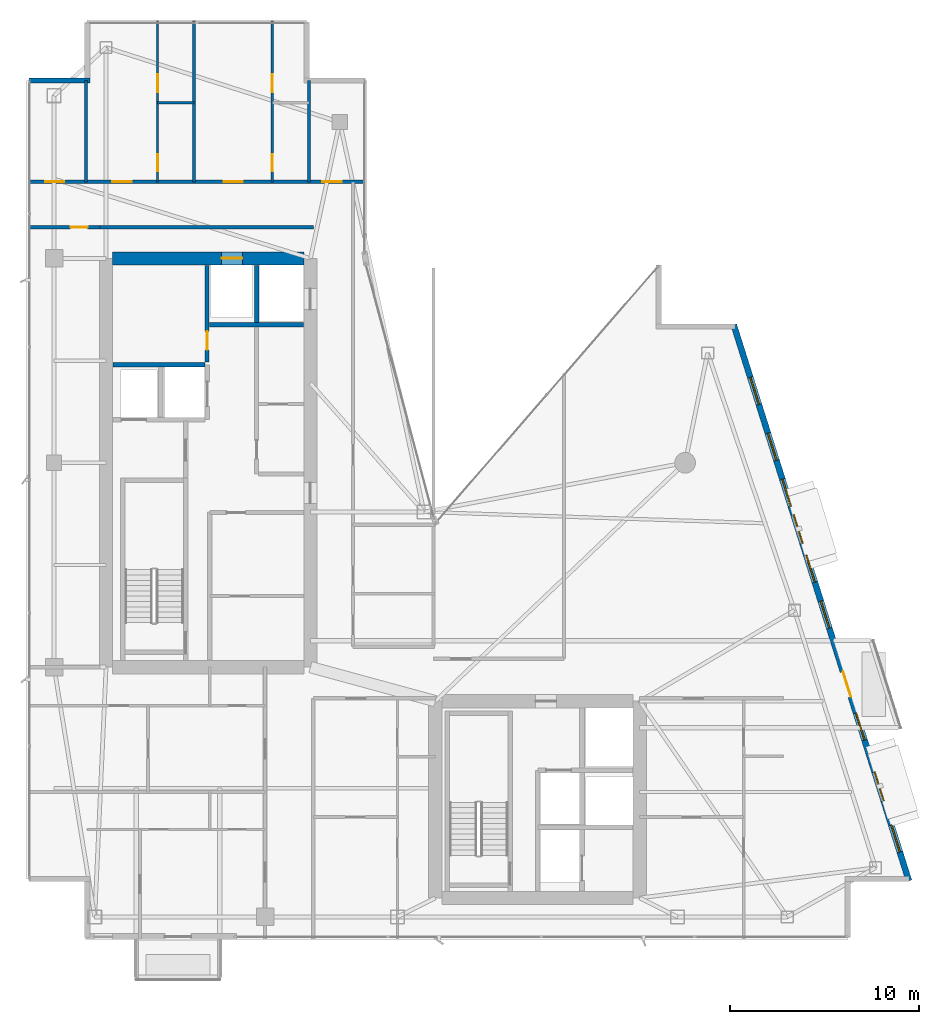
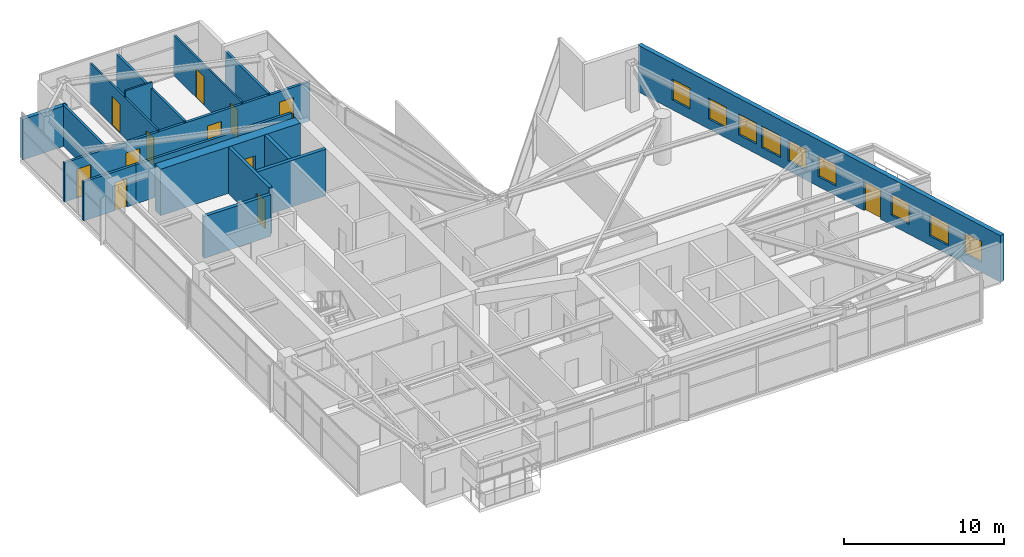
# One storey, part 26 of 29: 16 walls, 12 doors, 9 windows, 21 openings.
"""IFC4 building model written with IfcOpenShell, lengths in metres."""

from ifc_helpers import new_model, si_unit, direction, frame, frame_2d, origin, place, context, subcontext, project, spatial, rectangle, extrude, material, layer, layer_set, type_object, element, fill, save


model = new_model("IFC4")

# Units and contexts
model_context = context("Model", 3, precision=1e-05, world=origin(), true_north=direction((0.0, 1.0)))
body_context = subcontext(model_context, "Body", "Model", "MODEL_VIEW")
ifc_project = project(units=[si_unit("LENGTHUNIT", "METRE"), si_unit("AREAUNIT", "SQUARE_METRE"), si_unit("VOLUMEUNIT", "CUBIC_METRE"), si_unit("PLANEANGLEUNIT", "RADIAN"), si_unit("MASSUNIT", "GRAM", prefix="KILO")], contexts=[model_context])

# Site, building, storey
site_placement = place(None, origin())
site = spatial("IfcSite", under=ifc_project, at=site_placement, CompositionType="ELEMENT")
building_placement = place(site_placement, origin())
building = spatial("IfcBuilding", under=site, at=building_placement, Name="Calvorn Quay Hotel", CompositionType="ELEMENT")
storey_placement = place(building_placement, frame((0.0, 0.0, 247.60009765625)))
storey = spatial("IfcBuildingStorey", under=building, at=storey_placement, Name="L61", CompositionType="ELEMENT", Elevation=247.60009765625)

# Wall, opening, door
ifc_material_1 = material(Name="Concrete C45", Category="concrete")
ifc_layer_1 = layer(ifc_material_1, 0.699951171875)
ifc_layer_set_1 = layer_set([ifc_layer_1], Name="WL-CORE-700")
wall_type_1 = type_object("IfcWallType", Name="WL-CORE-700", PredefinedType="SHEAR", material=ifc_layer_set_1)
wall_1_placement = place(storey_placement, frame((4.550048828125, 38.39990234375, 0.0), z_axis=(0.0, 0.0, 1.0), x_axis=(1.0, 0.0, 0.0)))
wall_1 = element("IfcWall", 1, at=wall_1_placement, inside=storey, type_object=wall_type_1, Name="West Core Shear Wall N (L61)", PredefinedType="SHEAR", context=body_context, shape_type="SweptSolid", body=[
    extrude(rectangle(XDim=10.099853515625, YDim=0.699951171875, at=frame_2d((5.0498046875, 0.0))), origin(), (0.0, 0.0, 1.0), 3.559814453125),
])
opening_1_placement = place(wall_1_placement, frame((5.75, 0.0, 0.0)))
opening_1 = element("IfcOpeningElement", 2, at=opening_1_placement, cuts=wall_1, Name="Opening LD-L61-H2", PredefinedType="OPENING", context=body_context, shape_type="SweptSolid", body=[
    extrude(rectangle(XDim=1.10009765625, YDim=2.199951171875, at=frame_2d((0.550048828125, 1.10009765625))), frame((0.0, 0.35986328125, 0.0), z_axis=(0.0, -1.0, 0.0), x_axis=(1.0, 0.0, 0.0)), (0.0, 0.0, 1.0), 0.719970703125),
])
ifc_material_2 = material(Name="Brushed Stainless Steel Sliding Lift Landing Door", Category="steel")
door_type_1 = type_object("IfcDoorType", Name="DR-LIFT-PASS-1100", OperationType="NOTDEFINED", PredefinedType="DOOR", material=ifc_material_2)
door_1_placement = place(opening_1_placement, origin())
door_1 = element("IfcDoor", 3, at=door_1_placement, inside=storey, type_object=door_type_1, Name="High-Rise Lift PL-H2 Landing Door (L61)", OperationType="DOUBLE_DOOR_SLIDING", OverallHeight=2.199951171875, OverallWidth=1.10009765625, PredefinedType="DOOR", context=body_context, shape_type="SweptSolid", body=[
    extrude(rectangle(XDim=1.10009765625, YDim=2.199951171875, at=frame_2d((0.550048828125, 1.10009765625))), frame((0.0, 0.02490234375, 0.0), z_axis=(0.0, -1.0, 0.0), x_axis=(1.0, 0.0, 0.0)), (0.0, 0.0, 1.0), 0.050048828125),
])
fill(opening_1, door_1)

ifc_material_3 = material(Name="Acoustic Fireboard Steel-Stud Partition", Category="steel")
ifc_layer_2 = layer(ifc_material_3, 0.179931640625)
ifc_layer_set_2 = layer_set([ifc_layer_2], Name="WL-CORR-FIRE-180")
wall_type_2 = type_object("IfcWallType", Name="WL-CORR-FIRE-180", PredefinedType="PARTITIONING", material=ifc_layer_set_2)
wall_2_placement = place(storey_placement, frame((0.080078125, 40.050048828125, 0.0), z_axis=(0.0, 0.0, 1.0), x_axis=(1.0, 0.0, 0.0)))
wall_2 = element("IfcWall", 4, at=wall_2_placement, inside=storey, type_object=wall_type_2, Name="Partition Wall L61-WL-WBAY-N-DOOR", PredefinedType="PARTITIONING", context=body_context, shape_type="SweptSolid", body=[
    extrude(rectangle(XDim=3.7998046875, YDim=0.179931640625, at=frame_2d((1.89990234375, 0.0))), origin(), (0.0, 0.0, 1.0), 2.989990234375),
])
opening_2_placement = place(wall_2_placement, frame((2.25, 0.0, 0.0)))
opening_2 = element("IfcOpeningElement", 5, at=opening_2_placement, cuts=wall_2, Name="Opening D-L61-WBN", PredefinedType="OPENING", context=body_context, shape_type="SweptSolid", body=[
    extrude(rectangle(XDim=0.89990234375, YDim=2.14990234375, at=frame_2d((0.449951171875, 1.074951171875))), frame((0.0, 0.099853515625, 0.0), z_axis=(0.0, -1.0, 0.0), x_axis=(1.0, 0.0, 0.0)), (0.0, 0.0, 1.0), 0.199951171875),
])
ifc_material_4 = material(Name="Moisture-Sealed Timber En-Suite Door", Category="wood")
door_type_2 = type_object("IfcDoorType", Name="DR-ENSUITE-900", OperationType="NOTDEFINED", PredefinedType="DOOR", material=ifc_material_4)
door_2_placement = place(opening_2_placement, origin())
door_2 = element("IfcDoor", 6, at=door_2_placement, inside=storey, type_object=door_type_2, Name="West North Bay Door (L61)", OperationType="SINGLE_SWING_LEFT", OverallHeight=2.14990234375, OverallWidth=0.89990234375, PredefinedType="DOOR", context=body_context, shape_type="SweptSolid", body=[
    extrude(rectangle(XDim=0.89990234375, YDim=2.14990234375, at=frame_2d((0.449951171875, 1.074951171875))), frame((0.0, 0.02490234375, 0.0), z_axis=(0.0, -1.0, 0.0), x_axis=(1.0, 0.0, 0.0)), (0.0, 0.0, 1.0), 0.050048828125),
])
fill(opening_2, door_2)

# Wall, openings, doors
wall_3_placement = place(storey_placement, frame((0.080078125, 42.449951171875, 0.0), z_axis=(0.0, 0.0, 1.0), x_axis=(1.0, 0.0, 0.0)))
wall_3 = element("IfcWall", 7, at=wall_3_placement, inside=storey, type_object=wall_type_2, Name="Partition Wall L61-WL-CORR-NW-N", PredefinedType="PARTITIONING", context=body_context, shape_type="SweptSolid", body=[
    extrude(rectangle(XDim=17.77001953125, YDim=0.179931640625, at=frame_2d((8.885009765625, 0.0))), origin(), (0.0, 0.0, 1.0), 2.989990234375),
])
opening_3_placement = place(wall_3_placement, frame((0.89990234375, 0.0, 0.0)))
opening_3 = element("IfcOpeningElement", 8, at=opening_3_placement, cuts=wall_3, Name="Opening D-L61-NWW", PredefinedType="OPENING", context=body_context, shape_type="SweptSolid", body=[
    extrude(rectangle(XDim=1.02001953125, YDim=2.199951171875, at=frame_2d((0.510009765625, 1.10009765625))), frame((0.0, 0.099853515625, 0.0), z_axis=(0.0, -1.0, 0.0), x_axis=(1.0, 0.0, 0.0)), (0.0, 0.0, 1.0), 0.199951171875),
])
opening_4_placement = place(wall_3_placement, frame((4.449951171875, 0.0, 0.0)))
opening_4 = element("IfcOpeningElement", 9, at=opening_4_placement, cuts=wall_3, Name="Opening D-L61-U04", PredefinedType="OPENING", context=body_context, shape_type="SweptSolid", body=[
    extrude(rectangle(XDim=1.02001953125, YDim=2.199951171875, at=frame_2d((0.510009765625, 1.10009765625))), frame((0.0, 0.099853515625, 0.0), z_axis=(0.0, -1.0, 0.0), x_axis=(1.0, 0.0, 0.0)), (0.0, 0.0, 1.0), 0.199951171875),
])
opening_5_placement = place(wall_3_placement, frame((10.330078125, 0.0, 0.0)))
opening_5 = element("IfcOpeningElement", 10, at=opening_5_placement, cuts=wall_3, Name="Opening D-L61-U05", PredefinedType="OPENING", context=body_context, shape_type="SweptSolid", body=[
    extrude(rectangle(XDim=1.02001953125, YDim=2.199951171875, at=frame_2d((0.510009765625, 1.10009765625))), frame((0.0, 0.099853515625, 0.0), z_axis=(0.0, -1.0, 0.0), x_axis=(1.0, 0.0, 0.0)), (0.0, 0.0, 1.0), 0.199951171875),
])
opening_6_placement = place(wall_3_placement, frame((15.550048828125, 0.0, 0.0)))
opening_6 = element("IfcOpeningElement", 11, at=opening_6_placement, cuts=wall_3, Name="Opening D-L61-NWE", PredefinedType="OPENING", context=body_context, shape_type="SweptSolid", body=[
    extrude(rectangle(XDim=1.02001953125, YDim=2.199951171875, at=frame_2d((0.510009765625, 1.10009765625))), frame((0.0, 0.099853515625, 0.0), z_axis=(0.0, -1.0, 0.0), x_axis=(1.0, 0.0, 0.0)), (0.0, 0.0, 1.0), 0.199951171875),
])
ifc_material_5 = material(Name="Solid-Core Walnut Veneer Hotel Fire Door")
door_type_3 = type_object("IfcDoorType", Name="DR-GUEST-ENTRY-1020", OperationType="NOTDEFINED", PredefinedType="DOOR", material=ifc_material_5)
door_3_placement = place(opening_3_placement, origin())
door_3 = element("IfcDoor", 12, at=door_3_placement, inside=storey, type_object=door_type_3, Name="West Corner Study Door (L61)", OperationType="SINGLE_SWING_LEFT", OverallHeight=2.199951171875, OverallWidth=1.02001953125, PredefinedType="DOOR", context=body_context, shape_type="SweptSolid", body=[
    extrude(rectangle(XDim=1.02001953125, YDim=2.199951171875, at=frame_2d((0.510009765625, 1.10009765625))), frame((0.0, 0.02490234375, 0.0), z_axis=(0.0, -1.0, 0.0), x_axis=(1.0, 0.0, 0.0)), (0.0, 0.0, 1.0), 0.050048828125),
])
fill(opening_3, door_3)
door_4_placement = place(opening_4_placement, origin())
door_4 = element("IfcDoor", 13, at=door_4_placement, inside=storey, type_object=door_type_3, Name="North-West Unit Door U04 (L61)", OperationType="SINGLE_SWING_RIGHT", OverallHeight=2.199951171875, OverallWidth=1.02001953125, PredefinedType="DOOR", context=body_context, shape_type="SweptSolid", body=[
    extrude(rectangle(XDim=1.02001953125, YDim=2.199951171875, at=frame_2d((0.510009765625, 1.10009765625))), frame((0.0, 0.02490234375, 0.0), z_axis=(0.0, -1.0, 0.0), x_axis=(1.0, 0.0, 0.0)), (0.0, 0.0, 1.0), 0.050048828125),
])
fill(opening_4, door_4)
door_5_placement = place(opening_5_placement, origin())
door_5 = element("IfcDoor", 14, at=door_5_placement, inside=storey, type_object=door_type_3, Name="North-West Unit Door U05 (L61)", OperationType="SINGLE_SWING_LEFT", OverallHeight=2.199951171875, OverallWidth=1.02001953125, PredefinedType="DOOR", context=body_context, shape_type="SweptSolid", body=[
    extrude(rectangle(XDim=1.02001953125, YDim=2.199951171875, at=frame_2d((0.510009765625, 1.10009765625))), frame((0.0, 0.02490234375, 0.0), z_axis=(0.0, -1.0, 0.0), x_axis=(1.0, 0.0, 0.0)), (0.0, 0.0, 1.0), 0.050048828125),
])
fill(opening_5, door_5)
door_6_placement = place(opening_6_placement, origin())
door_6 = element("IfcDoor", 15, at=door_6_placement, inside=storey, type_object=door_type_3, Name="Inner Court Study Door (L61)", OperationType="SINGLE_SWING_RIGHT", OverallHeight=2.199951171875, OverallWidth=1.02001953125, PredefinedType="DOOR", context=body_context, shape_type="SweptSolid", body=[
    extrude(rectangle(XDim=1.02001953125, YDim=2.199951171875, at=frame_2d((0.510009765625, 1.10009765625))), frame((0.0, 0.02490234375, 0.0), z_axis=(0.0, -1.0, 0.0), x_axis=(1.0, 0.0, 0.0)), (0.0, 0.0, 1.0), 0.050048828125),
])
fill(opening_6, door_6)

# Walls
wall_4_placement = place(storey_placement, frame((3.830078125, 40.050048828125, 0.0), z_axis=(0.0, 0.0, 1.0), x_axis=(1.0, 0.0, 0.0)))
element("IfcWall", 16, at=wall_4_placement, inside=storey, type_object=wall_type_2, Name="Partition Wall L61-WL-W-SPUR-S", PredefinedType="PARTITIONING", context=body_context, shape_type="SweptSolid", body=[
    extrude(rectangle(XDim=11.31982421875, YDim=0.179931640625, at=frame_2d((5.659912109375, 0.0))), origin(), (0.0, 0.0, 1.0), 2.989990234375),
])
ifc_material_6 = material(Name="Moisture-Resistant Tile-Backed Partition")
ifc_layer_3 = layer(ifc_material_6, 0.125)
ifc_layer_set_3 = layer_set([ifc_layer_3], Name="WL-ENSUITE-125")
wall_type_3 = type_object("IfcWallType", Name="WL-ENSUITE-125", PredefinedType="PARTITIONING", material=ifc_layer_set_3)
wall_5_placement = place(storey_placement, frame((6.919921875, 46.6201171875, 0.0), z_axis=(0.0, 0.0, 1.0), x_axis=(1.0, 0.0, 0.0)))
element("IfcWall", 17, at=wall_5_placement, inside=storey, type_object=wall_type_3, Name="Partition Wall L61-WL-U04-BDV", PredefinedType="PARTITIONING", context=body_context, shape_type="SweptSolid", body=[
    extrude(rectangle(XDim=1.93017578125, YDim=0.125, at=frame_2d((0.965087890625, 0.0))), origin(), (0.0, 0.0, 1.0), 3.559814453125),
])

# Wall, openings, doors
wall_6_placement = place(storey_placement, frame((6.919921875, 42.449951171875, 0.0), z_axis=(0.0, 0.0, 1.0), x_axis=(0.0, 1.0, 0.0)))
wall_6 = element("IfcWall", 18, at=wall_6_placement, inside=storey, type_object=wall_type_3, Name="Partition Wall L61-WL-U04-BV", PredefinedType="PARTITIONING", context=body_context, shape_type="SweptSolid", body=[
    extrude(rectangle(XDim=8.489990234375, YDim=0.125, at=frame_2d((4.2451171875, 0.0))), origin(), (0.0, 0.0, 1.0), 3.08984375),
])
opening_7_placement = place(wall_6_placement, frame((0.550048828125, 0.0, 0.0)))
opening_7 = element("IfcOpeningElement", 19, at=opening_7_placement, cuts=wall_6, Name="Opening D-L61-E04", PredefinedType="OPENING", context=body_context, shape_type="SweptSolid", body=[
    extrude(rectangle(XDim=0.89990234375, YDim=2.14990234375, at=frame_2d((0.449951171875, 1.074951171875))), frame((0.0, 0.072509765625, 0.0), z_axis=(0.0, -1.0, 0.0), x_axis=(1.0, 0.0, 0.0)), (0.0, 0.0, 1.0), 0.14501953125),
])
opening_8_placement = place(wall_6_placement, frame((4.719970703125, 0.0, 0.0)))
opening_8 = element("IfcOpeningElement", 20, at=opening_8_placement, cuts=wall_6, Name="Opening D-L61-S04", PredefinedType="OPENING", context=body_context, shape_type="SweptSolid", body=[
    extrude(rectangle(XDim=0.9599609375, YDim=2.199951171875, at=frame_2d((0.47998046875, 1.10009765625))), frame((0.0, 0.072509765625, 0.0), z_axis=(0.0, -1.0, 0.0), x_axis=(1.0, 0.0, 0.0)), (0.0, 0.0, 1.0), 0.14501953125),
])
door_7_placement = place(opening_7_placement, origin())
door_7 = element("IfcDoor", 21, at=door_7_placement, inside=storey, type_object=door_type_2, Name="En-Suite Door 04", OperationType="SINGLE_SWING_LEFT", OverallHeight=2.14990234375, OverallWidth=0.89990234375, PredefinedType="DOOR", context=body_context, shape_type="SweptSolid", body=[
    extrude(rectangle(XDim=0.89990234375, YDim=2.14990234375, at=frame_2d((0.449951171875, 1.074951171875))), frame((0.0, 0.02490234375, 0.0), z_axis=(0.0, -1.0, 0.0), x_axis=(1.0, 0.0, 0.0)), (0.0, 0.0, 1.0), 0.050048828125),
])
fill(opening_7, door_7)
ifc_material_7 = material(Name="Solid Timber Internal Suite Door", Category="wood")
door_type_4 = type_object("IfcDoorType", Name="DR-SUITE-INT-960", OperationType="NOTDEFINED", PredefinedType="DOOR", material=ifc_material_7)
door_8_placement = place(opening_8_placement, origin())
door_8 = element("IfcDoor", 22, at=door_8_placement, inside=storey, type_object=door_type_4, Name="Curated Resort Boutique Door 04", OperationType="SINGLE_SWING_RIGHT", OverallHeight=2.199951171875, OverallWidth=0.9599609375, PredefinedType="DOOR", context=body_context, shape_type="SweptSolid", body=[
    extrude(rectangle(XDim=0.9599609375, YDim=2.199951171875, at=frame_2d((0.47998046875, 1.10009765625))), frame((0.0, 0.02490234375, 0.0), z_axis=(0.0, -1.0, 0.0), x_axis=(1.0, 0.0, 0.0)), (0.0, 0.0, 1.0), 0.050048828125),
])
fill(opening_8, door_8)

wall_7_placement = place(storey_placement, frame((12.989990234375, 42.449951171875, 0.0), z_axis=(0.0, 0.0, 1.0), x_axis=(0.0, 1.0, 0.0)))
wall_7 = element("IfcWall", 23, at=wall_7_placement, inside=storey, type_object=wall_type_3, Name="Partition Wall L61-WL-U05-BV", PredefinedType="PARTITIONING", context=body_context, shape_type="SweptSolid", body=[
    extrude(rectangle(XDim=8.489990234375, YDim=0.125, at=frame_2d((4.2451171875, 0.0))), origin(), (0.0, 0.0, 1.0), 3.08984375),
])
opening_9_placement = place(wall_7_placement, frame((0.550048828125, 0.0, 0.0)))
opening_9 = element("IfcOpeningElement", 24, at=opening_9_placement, cuts=wall_7, Name="Opening D-L61-E05", PredefinedType="OPENING", context=body_context, shape_type="SweptSolid", body=[
    extrude(rectangle(XDim=0.89990234375, YDim=2.14990234375, at=frame_2d((0.449951171875, 1.074951171875))), frame((0.0, 0.072509765625, 0.0), z_axis=(0.0, -1.0, 0.0), x_axis=(1.0, 0.0, 0.0)), (0.0, 0.0, 1.0), 0.14501953125),
])
opening_10_placement = place(wall_7_placement, frame((4.719970703125, 0.0, 0.0)))
opening_10 = element("IfcOpeningElement", 25, at=opening_10_placement, cuts=wall_7, Name="Opening D-L61-S05", PredefinedType="OPENING", context=body_context, shape_type="SweptSolid", body=[
    extrude(rectangle(XDim=0.9599609375, YDim=2.199951171875, at=frame_2d((0.47998046875, 1.10009765625))), frame((0.0, 0.072509765625, 0.0), z_axis=(0.0, -1.0, 0.0), x_axis=(1.0, 0.0, 0.0)), (0.0, 0.0, 1.0), 0.14501953125),
])
door_9_placement = place(opening_9_placement, origin())
door_9 = element("IfcDoor", 26, at=door_9_placement, inside=storey, type_object=door_type_2, Name="En-Suite Door 05", OperationType="SINGLE_SWING_LEFT", OverallHeight=2.14990234375, OverallWidth=0.89990234375, PredefinedType="DOOR", context=body_context, shape_type="SweptSolid", body=[
    extrude(rectangle(XDim=0.89990234375, YDim=2.14990234375, at=frame_2d((0.449951171875, 1.074951171875))), frame((0.0, 0.02490234375, 0.0), z_axis=(0.0, -1.0, 0.0), x_axis=(1.0, 0.0, 0.0)), (0.0, 0.0, 1.0), 0.050048828125),
])
fill(opening_9, door_9)
door_10_placement = place(opening_10_placement, origin())
door_10 = element("IfcDoor", 27, at=door_10_placement, inside=storey, type_object=door_type_4, Name="Curated Resort Boutique Door 05", OperationType="SINGLE_SWING_RIGHT", OverallHeight=2.199951171875, OverallWidth=0.9599609375, PredefinedType="DOOR", context=body_context, shape_type="SweptSolid", body=[
    extrude(rectangle(XDim=0.9599609375, YDim=2.199951171875, at=frame_2d((0.47998046875, 1.10009765625))), frame((0.0, 0.02490234375, 0.0), z_axis=(0.0, -1.0, 0.0), x_axis=(1.0, 0.0, 0.0)), (0.0, 0.0, 1.0), 0.050048828125),
])
fill(opening_10, door_10)

# Wall
ifc_material_8 = material(Name="Concrete C40", Category="concrete")
ifc_layer_4 = layer(ifc_material_8, 0.320068359375)
ifc_layer_set_4 = layer_set([ifc_layer_4], Name="WL-EXT-SPANDREL-320")
wall_type_4 = type_object("IfcWallType", Name="WL-EXT-SPANDREL-320", PredefinedType="SOLIDWALL", material=ifc_layer_set_4)
wall_8_placement = place(storey_placement, frame((3.340087890625, 47.800048828125, 0.0), z_axis=(0.0, 0.0, 1.0), x_axis=(-1.0, 0.0, 0.0)))
element("IfcWall", 28, at=wall_8_placement, inside=storey, type_object=wall_type_4, Name="Notched Corner Spandrel L61-NW2", PredefinedType="SOLIDWALL", context=body_context, shape_type="SweptSolid", body=[
    extrude(rectangle(XDim=3.219970703125, YDim=0.280029296875, at=frame_2d((1.60986328125, 0.0))), origin(), (0.0, 0.0, 1.0), 3.08984375),
])

# Wall, openings, door, windows
wall_9_placement = place(storey_placement, frame((46.6298828125, 5.5048828125, 0.0), z_axis=(0.0, 0.0, 1.0), x_axis=(-0.300501856448, 0.953781229775, 0.0)))
wall_9 = element("IfcWall", 29, at=wall_9_placement, inside=storey, type_object=wall_type_4, Name="East Stepped Waterfront Exterior Wall (L61)", PredefinedType="SOLIDWALL", context=body_context, shape_type="SweptSolid", body=[
    extrude(rectangle(XDim=30.814453125, YDim=0.320068359375, at=frame_2d((15.4072265625, 0.0))), origin(), (0.0, 0.0, 1.0), 3.559814453125),
])
opening_11_placement = place(wall_9_placement, frame((10.198974609375, 0.0, 0.0)))
opening_11 = element("IfcOpeningElement", 30, at=opening_11_placement, cuts=wall_9, Name="Opening DB-L61-1", PredefinedType="OPENING", context=body_context, shape_type="SweptSolid", body=[
    extrude(rectangle(XDim=1.39990234375, YDim=2.25, at=frame_2d((0.699951171875, 1.125))), frame((0.0, 0.169921875, 0.0), z_axis=(0.0, -1.0, 0.0), x_axis=(1.0, 0.0, 0.0)), (0.0, 0.0, 1.0), 0.340087890625),
])
opening_12_placement = place(wall_9_placement, frame((4.43701171875, 0.0, 0.699951171875)))
opening_12 = element("IfcOpeningElement", 31, at=opening_12_placement, cuts=wall_9, Name="Opening WHD-L61-1", PredefinedType="OPENING", context=body_context, shape_type="SweptSolid", body=[
    extrude(rectangle(XDim=1.60009765625, YDim=1.64990234375, at=frame_2d((0.800048828125, 0.824951171875))), frame((0.0, 0.169921875, 0.0), z_axis=(0.0, -1.0, 0.0), x_axis=(1.0, 0.0, 0.0)), (0.0, 0.0, 1.0), 0.340087890625),
])
opening_13_placement = place(wall_9_placement, frame((18.696044921875, 0.0, 0.699951171875)))
opening_13 = element("IfcOpeningElement", 32, at=opening_13_placement, cuts=wall_9, Name="Opening WHD-L61-2", PredefinedType="OPENING", context=body_context, shape_type="SweptSolid", body=[
    extrude(rectangle(XDim=1.60009765625, YDim=1.64990234375, at=frame_2d((0.800048828125, 0.824951171875))), frame((0.0, 0.169921875, 0.0), z_axis=(0.0, -1.0, 0.0), x_axis=(1.0, 0.0, 0.0)), (0.0, 0.0, 1.0), 0.340087890625),
])
opening_14_placement = place(wall_9_placement, frame((1.60009765625, 0.0, 0.75)))
opening_14 = element("IfcOpeningElement", 33, at=opening_14_placement, cuts=wall_9, Name="Opening WG-L61-E1", PredefinedType="OPENING", context=body_context, shape_type="SweptSolid", body=[
    extrude(rectangle(XDim=1.5, YDim=1.60009765625, at=frame_2d((0.75, 0.800048828125))), frame((0.0, 0.169921875, 0.0), z_axis=(0.0, -1.0, 0.0), x_axis=(1.0, 0.0, 0.0)), (0.0, 0.0, 1.0), 0.340087890625),
])
opening_15_placement = place(wall_9_placement, frame((7.800048828125, 0.0, 0.75)))
opening_15 = element("IfcOpeningElement", 34, at=opening_15_placement, cuts=wall_9, Name="Opening WG-L61-E2", PredefinedType="OPENING", context=body_context, shape_type="SweptSolid", body=[
    extrude(rectangle(XDim=1.5, YDim=1.60009765625, at=frame_2d((0.75, 0.800048828125))), frame((0.0, 0.169921875, 0.0), z_axis=(0.0, -1.0, 0.0), x_axis=(1.0, 0.0, 0.0)), (0.0, 0.0, 1.0), 0.340087890625),
])
opening_16_placement = place(wall_9_placement, frame((14.0, 0.0, 0.75)))
opening_16 = element("IfcOpeningElement", 35, at=opening_16_placement, cuts=wall_9, Name="Opening WG-L61-E3", PredefinedType="OPENING", context=body_context, shape_type="SweptSolid", body=[
    extrude(rectangle(XDim=1.5, YDim=1.60009765625, at=frame_2d((0.75, 0.800048828125))), frame((0.0, 0.169921875, 0.0), z_axis=(0.0, -1.0, 0.0), x_axis=(1.0, 0.0, 0.0)), (0.0, 0.0, 1.0), 0.340087890625),
])
opening_17_placement = place(wall_9_placement, frame((16.550048828125, 0.0, 0.75)))
opening_17 = element("IfcOpeningElement", 36, at=opening_17_placement, cuts=wall_9, Name="Opening WG-L61-E4", PredefinedType="OPENING", context=body_context, shape_type="SweptSolid", body=[
    extrude(rectangle(XDim=1.5, YDim=1.60009765625, at=frame_2d((0.75, 0.800048828125))), frame((0.0, 0.169921875, 0.0), z_axis=(0.0, -1.0, 0.0), x_axis=(1.0, 0.0, 0.0)), (0.0, 0.0, 1.0), 0.340087890625),
])
opening_18_placement = place(wall_9_placement, frame((20.75, 0.0, 0.75)))
opening_18 = element("IfcOpeningElement", 37, at=opening_18_placement, cuts=wall_9, Name="Opening WG-L61-E5", PredefinedType="OPENING", context=body_context, shape_type="SweptSolid", body=[
    extrude(rectangle(XDim=1.5, YDim=1.60009765625, at=frame_2d((0.75, 0.800048828125))), frame((0.0, 0.169921875, 0.0), z_axis=(0.0, -1.0, 0.0), x_axis=(1.0, 0.0, 0.0)), (0.0, 0.0, 1.0), 0.340087890625),
])
opening_19_placement = place(wall_9_placement, frame((23.300048828125, 0.0, 0.75)))
opening_19 = element("IfcOpeningElement", 38, at=opening_19_placement, cuts=wall_9, Name="Opening WG-L61-E6", PredefinedType="OPENING", context=body_context, shape_type="SweptSolid", body=[
    extrude(rectangle(XDim=1.5, YDim=1.60009765625, at=frame_2d((0.75, 0.800048828125))), frame((0.0, 0.169921875, 0.0), z_axis=(0.0, -1.0, 0.0), x_axis=(1.0, 0.0, 0.0)), (0.0, 0.0, 1.0), 0.340087890625),
])
opening_20_placement = place(wall_9_placement, frame((26.39990234375, 0.0, 0.75)))
opening_20 = element("IfcOpeningElement", 39, at=opening_20_placement, cuts=wall_9, Name="Opening WG-L61-E7", PredefinedType="OPENING", context=body_context, shape_type="SweptSolid", body=[
    extrude(rectangle(XDim=1.5, YDim=1.60009765625, at=frame_2d((0.75, 0.800048828125))), frame((0.0, 0.169921875, 0.0), z_axis=(0.0, -1.0, 0.0), x_axis=(1.0, 0.0, 0.0)), (0.0, 0.0, 1.0), 0.340087890625),
])
ifc_material_9 = material(Name="Typhoon-Rated Low-E Aluminium Terrace Door", Category="aluminium")
door_type_5 = type_object("IfcDoorType", Name="DR-BALCONY-GLZ-1400", OperationType="NOTDEFINED", PredefinedType="DOOR", material=ifc_material_9)
door_11_placement = place(opening_11_placement, origin())
door_11 = element("IfcDoor", 40, at=door_11_placement, inside=storey, type_object=door_type_5, Name="Tree Balcony Terrace Door L61-BALC-E", OperationType="SINGLE_SWING_LEFT", OverallHeight=2.25, OverallWidth=1.39990234375, PredefinedType="DOOR", context=body_context, shape_type="SweptSolid", body=[
    extrude(rectangle(XDim=1.39990234375, YDim=2.25, at=frame_2d((0.699951171875, 1.125))), frame((0.0, 0.02490234375, 0.0), z_axis=(0.0, -1.0, 0.0), x_axis=(1.0, 0.0, 0.0)), (0.0, 0.0, 1.0), 0.050048828125),
])
fill(opening_11, door_11)
ifc_material_10 = material(Name="Champagne-Bronze Aluminium Low-E Window", Category="aluminium")
window_type_1 = type_object("IfcWindowType", Name="WIN-GUEST-SIDE-1600x2100", PartitioningType="SINGLE_PANEL", PredefinedType="WINDOW", material=ifc_material_10)
window_1_placement = place(opening_12_placement, origin())
window_1 = element("IfcWindow", 41, at=window_1_placement, inside=storey, type_object=window_type_1, Name="Bay Hood Window L61-HOOD-1", OverallHeight=1.64990234375, OverallWidth=1.60009765625, PartitioningType="SINGLE_PANEL", PredefinedType="WINDOW", context=body_context, shape_type="SweptSolid", body=[
    extrude(rectangle(XDim=1.60009765625, YDim=1.64990234375, at=frame_2d((0.800048828125, 0.824951171875))), frame((0.0, 0.030029296875, 0.0), z_axis=(0.0, -1.0, 0.0), x_axis=(1.0, 0.0, 0.0)), (0.0, 0.0, 1.0), 0.06005859375),
])
fill(opening_12, window_1)
window_2_placement = place(opening_13_placement, origin())
window_2 = element("IfcWindow", 42, at=window_2_placement, inside=storey, type_object=window_type_1, Name="Bay Hood Window L61-HOOD-3", OverallHeight=1.64990234375, OverallWidth=1.60009765625, PartitioningType="SINGLE_PANEL", PredefinedType="WINDOW", context=body_context, shape_type="SweptSolid", body=[
    extrude(rectangle(XDim=1.60009765625, YDim=1.64990234375, at=frame_2d((0.800048828125, 0.824951171875))), frame((0.0, 0.030029296875, 0.0), z_axis=(0.0, -1.0, 0.0), x_axis=(1.0, 0.0, 0.0)), (0.0, 0.0, 1.0), 0.06005859375),
])
fill(opening_13, window_2)
ifc_material_11 = material(Name="Self-Closing Class B Fire Window")
window_type_2 = type_object("IfcWindowType", Name="WIN-REFUGE-1500x1600", PartitioningType="SINGLE_PANEL", PredefinedType="WINDOW", material=ifc_material_11)
window_3_placement = place(opening_14_placement, origin())
window_3 = element("IfcWindow", 43, at=window_3_placement, inside=storey, type_object=window_type_2, Name="East Facade Window L61-E1", OverallHeight=1.60009765625, OverallWidth=1.5, PartitioningType="SINGLE_PANEL", PredefinedType="WINDOW", context=body_context, shape_type="SweptSolid", body=[
    extrude(rectangle(XDim=1.5, YDim=1.60009765625, at=frame_2d((0.75, 0.800048828125))), frame((0.0, 0.030029296875, 0.0), z_axis=(0.0, -1.0, 0.0), x_axis=(1.0, 0.0, 0.0)), (0.0, 0.0, 1.0), 0.06005859375),
])
fill(opening_14, window_3)
window_4_placement = place(opening_15_placement, origin())
window_4 = element("IfcWindow", 44, at=window_4_placement, inside=storey, type_object=window_type_2, Name="East Facade Window L61-E2", OverallHeight=1.60009765625, OverallWidth=1.5, PartitioningType="SINGLE_PANEL", PredefinedType="WINDOW", context=body_context, shape_type="SweptSolid", body=[
    extrude(rectangle(XDim=1.5, YDim=1.60009765625, at=frame_2d((0.75, 0.800048828125))), frame((0.0, 0.030029296875, 0.0), z_axis=(0.0, -1.0, 0.0), x_axis=(1.0, 0.0, 0.0)), (0.0, 0.0, 1.0), 0.06005859375),
])
fill(opening_15, window_4)
window_5_placement = place(opening_16_placement, origin())
window_5 = element("IfcWindow", 45, at=window_5_placement, inside=storey, type_object=window_type_2, Name="East Facade Window L61-E3", OverallHeight=1.60009765625, OverallWidth=1.5, PartitioningType="SINGLE_PANEL", PredefinedType="WINDOW", context=body_context, shape_type="SweptSolid", body=[
    extrude(rectangle(XDim=1.5, YDim=1.60009765625, at=frame_2d((0.75, 0.800048828125))), frame((0.0, 0.030029296875, 0.0), z_axis=(0.0, -1.0, 0.0), x_axis=(1.0, 0.0, 0.0)), (0.0, 0.0, 1.0), 0.06005859375),
])
fill(opening_16, window_5)
window_6_placement = place(opening_17_placement, origin())
window_6 = element("IfcWindow", 46, at=window_6_placement, inside=storey, type_object=window_type_2, Name="East Facade Window L61-E4", OverallHeight=1.60009765625, OverallWidth=1.5, PartitioningType="SINGLE_PANEL", PredefinedType="WINDOW", context=body_context, shape_type="SweptSolid", body=[
    extrude(rectangle(XDim=1.5, YDim=1.60009765625, at=frame_2d((0.75, 0.800048828125))), frame((0.0, 0.030029296875, 0.0), z_axis=(0.0, -1.0, 0.0), x_axis=(1.0, 0.0, 0.0)), (0.0, 0.0, 1.0), 0.06005859375),
])
fill(opening_17, window_6)
window_7_placement = place(opening_18_placement, origin())
window_7 = element("IfcWindow", 47, at=window_7_placement, inside=storey, type_object=window_type_2, Name="East Facade Window L61-E5", OverallHeight=1.60009765625, OverallWidth=1.5, PartitioningType="SINGLE_PANEL", PredefinedType="WINDOW", context=body_context, shape_type="SweptSolid", body=[
    extrude(rectangle(XDim=1.5, YDim=1.60009765625, at=frame_2d((0.75, 0.800048828125))), frame((0.0, 0.030029296875, 0.0), z_axis=(0.0, -1.0, 0.0), x_axis=(1.0, 0.0, 0.0)), (0.0, 0.0, 1.0), 0.06005859375),
])
fill(opening_18, window_7)
window_8_placement = place(opening_19_placement, origin())
window_8 = element("IfcWindow", 48, at=window_8_placement, inside=storey, type_object=window_type_2, Name="East Facade Window L61-E6", OverallHeight=1.60009765625, OverallWidth=1.5, PartitioningType="SINGLE_PANEL", PredefinedType="WINDOW", context=body_context, shape_type="SweptSolid", body=[
    extrude(rectangle(XDim=1.5, YDim=1.60009765625, at=frame_2d((0.75, 0.800048828125))), frame((0.0, 0.030029296875, 0.0), z_axis=(0.0, -1.0, 0.0), x_axis=(1.0, 0.0, 0.0)), (0.0, 0.0, 1.0), 0.06005859375),
])
fill(opening_19, window_8)
window_9_placement = place(opening_20_placement, origin())
window_9 = element("IfcWindow", 49, at=window_9_placement, inside=storey, type_object=window_type_2, Name="East Facade Window L61-E7", OverallHeight=1.60009765625, OverallWidth=1.5, PartitioningType="SINGLE_PANEL", PredefinedType="WINDOW", context=body_context, shape_type="SweptSolid", body=[
    extrude(rectangle(XDim=1.5, YDim=1.60009765625, at=frame_2d((0.75, 0.800048828125))), frame((0.0, 0.030029296875, 0.0), z_axis=(0.0, -1.0, 0.0), x_axis=(1.0, 0.0, 0.0)), (0.0, 0.0, 1.0), 0.06005859375),
])
fill(opening_20, window_9)

# Walls
ifc_material_12 = material(Name="Double-Stud Acoustic Gypsum Partition")
ifc_layer_5 = layer(ifc_material_12, 0.159912109375)
ifc_layer_set_5 = layer_set([ifc_layer_5], Name="WL-INTERSUITE-160")
wall_type_5 = type_object("IfcWallType", Name="WL-INTERSUITE-160", PredefinedType="PARTITIONING", material=ifc_layer_set_5)
wall_10_placement = place(storey_placement, frame((3.14990234375, 42.449951171875, 0.0), z_axis=(0.0, 0.0, 1.0), x_axis=(0.0, 1.0, 0.0)))
element("IfcWall", 50, at=wall_10_placement, inside=storey, type_object=wall_type_5, Name="Partition Wall L61-WL-NW-DIV-W0", PredefinedType="PARTITIONING", context=body_context, shape_type="SweptSolid", body=[
    extrude(rectangle(XDim=5.35009765625, YDim=0.159912109375, at=frame_2d((2.675048828125, 0.0))), origin(), (0.0, 0.0, 1.0), 3.139892578125),
])
wall_11_placement = place(storey_placement, frame((14.919921875, 42.449951171875, 0.0), z_axis=(0.0, 0.0, 1.0), x_axis=(0.0, 1.0, 0.0)))
element("IfcWall", 51, at=wall_11_placement, inside=storey, type_object=wall_type_5, Name="Partition Wall L61-WL-NW-DIV-E0", PredefinedType="PARTITIONING", context=body_context, shape_type="SweptSolid", body=[
    extrude(rectangle(XDim=5.35009765625, YDim=0.159912109375, at=frame_2d((2.675048828125, 0.0))), origin(), (0.0, 0.0, 1.0), 3.08984375),
])
wall_12_placement = place(storey_placement, frame((8.85009765625, 42.449951171875, 0.0), z_axis=(0.0, 0.0, 1.0), x_axis=(0.0, 1.0, 0.0)))
element("IfcWall", 52, at=wall_12_placement, inside=storey, type_object=wall_type_5, Name="Partition Wall L61-WL-NW-DIV-1", PredefinedType="PARTITIONING", context=body_context, shape_type="SweptSolid", body=[
    extrude(rectangle(XDim=8.489990234375, YDim=0.159912109375, at=frame_2d((4.2451171875, 0.0))), origin(), (0.0, 0.0, 1.0), 3.08984375),
])

# Wall, opening, door
ifc_material_13 = material(Name="Autoclaved Aerated Masonry Block", Category="masonry")
ifc_layer_6 = layer(ifc_material_13, 0.219970703125)
ifc_layer_set_6 = layer_set([ifc_layer_6], Name="WL-LOBBY-FIRE-220")
wall_type_6 = type_object("IfcWallType", Name="WL-LOBBY-FIRE-220", PredefinedType="SOLIDWALL", material=ifc_layer_set_6)
wall_13_placement = place(storey_placement, frame((9.5400390625, 32.919921875, 0.0), z_axis=(0.0, 0.0, 1.0), x_axis=(0.0, 1.0, 0.0)))
wall_13 = element("IfcWall", 53, at=wall_13_placement, inside=storey, type_object=wall_type_6, Name="Partition Wall L61-WL-CWW-K-E", PredefinedType="SOLIDWALL", context=body_context, shape_type="SweptSolid", body=[
    extrude(rectangle(XDim=5.110107421875, YDim=0.219970703125, at=frame_2d((2.55517578125, 0.0))), origin(), (0.0, 0.0, 1.0), 3.559814453125),
])
opening_21_placement = place(wall_13_placement, frame((0.64990234375, 0.0, 0.0)))
opening_21 = element("IfcOpeningElement", 54, at=opening_21_placement, cuts=wall_13, Name="Opening D-L61-CK1", PredefinedType="OPENING", context=body_context, shape_type="SweptSolid", body=[
    extrude(rectangle(XDim=0.97998046875, YDim=2.14990234375, at=frame_2d((0.489990234375, 1.074951171875))), frame((0.0, 0.119873046875, 0.0), z_axis=(0.0, -1.0, 0.0), x_axis=(1.0, 0.0, 0.0)), (0.0, 0.0, 1.0), 0.239990234375),
])
ifc_material_14 = material(Name="Painted Steel Housekeeping/Riser Fire Door", Category="steel")
door_type_6 = type_object("IfcDoorType", Name="DR-SERVICE-980", OperationType="NOTDEFINED", PredefinedType="DOOR", material=ifc_material_14)
door_12_placement = place(opening_21_placement, origin())
door_12 = element("IfcDoor", 55, at=door_12_placement, inside=storey, type_object=door_type_6, Name="Core Linen Room Door (L61)", OperationType="SINGLE_SWING_LEFT", OverallHeight=2.14990234375, OverallWidth=0.97998046875, PredefinedType="DOOR", context=body_context, shape_type="SweptSolid", body=[
    extrude(rectangle(XDim=0.97998046875, YDim=2.14990234375, at=frame_2d((0.489990234375, 1.074951171875))), frame((0.0, 0.02490234375, 0.0), z_axis=(0.0, -1.0, 0.0), x_axis=(1.0, 0.0, 0.0)), (0.0, 0.0, 1.0), 0.050048828125),
])
fill(opening_21, door_12)

# Walls
ifc_material_15 = material(Name="Concrete C40", Category="concrete")
ifc_layer_7 = layer(ifc_material_15, 0.239990234375)
ifc_layer_set_7 = layer_set([ifc_layer_7], Name="WL-SHAFT-240")
wall_type_7 = type_object("IfcWallType", Name="WL-SHAFT-240", PredefinedType="SOLIDWALL", material=ifc_layer_set_7)
wall_14_placement = place(storey_placement, frame((4.570068359375, 32.780029296875, 0.0), z_axis=(0.0, 0.0, 1.0), x_axis=(1.0, 0.0, 0.0)))
element("IfcWall", 56, at=wall_14_placement, inside=storey, type_object=wall_type_7, Name="Partition Wall L61-WL-CWW-SLW-N", PredefinedType="SOLIDWALL", context=body_context, shape_type="SweptSolid", body=[
    extrude(rectangle(XDim=4.849853515625, YDim=0.239990234375, at=frame_2d((2.4248046875, 0.0))), origin(), (0.0, 0.0, 1.0), 3.18994140625),
])
wall_15_placement = place(storey_placement, frame((9.659912109375, 34.89990234375, 0.0), z_axis=(0.0, 0.0, 1.0), x_axis=(1.0, 0.0, 0.0)))
element("IfcWall", 57, at=wall_15_placement, inside=storey, type_object=wall_type_7, Name="Partition Wall L61-WL-CWW-PLH-S", PredefinedType="SOLIDWALL", context=body_context, shape_type="SweptSolid", body=[
    extrude(rectangle(XDim=4.969970703125, YDim=0.239990234375, at=frame_2d((2.48486328125, 0.0))), origin(), (0.0, 0.0, 1.0), 3.559814453125),
])
wall_16_placement = place(storey_placement, frame((12.14990234375, 35.02001953125, 0.0), z_axis=(0.0, 0.0, 1.0), x_axis=(0.0, 1.0, 0.0)))
element("IfcWall", 58, at=wall_16_placement, inside=storey, type_object=wall_type_7, Name="Partition Wall L61-WL-CWW-PLH-DIV", PredefinedType="SOLIDWALL", context=body_context, shape_type="SweptSolid", body=[
    extrude(rectangle(XDim=3.010009765625, YDim=0.239990234375, at=frame_2d((1.5048828125, 0.0))), origin(), (0.0, 0.0, 1.0), 3.559814453125),
])

save(model, "model.ifc")
